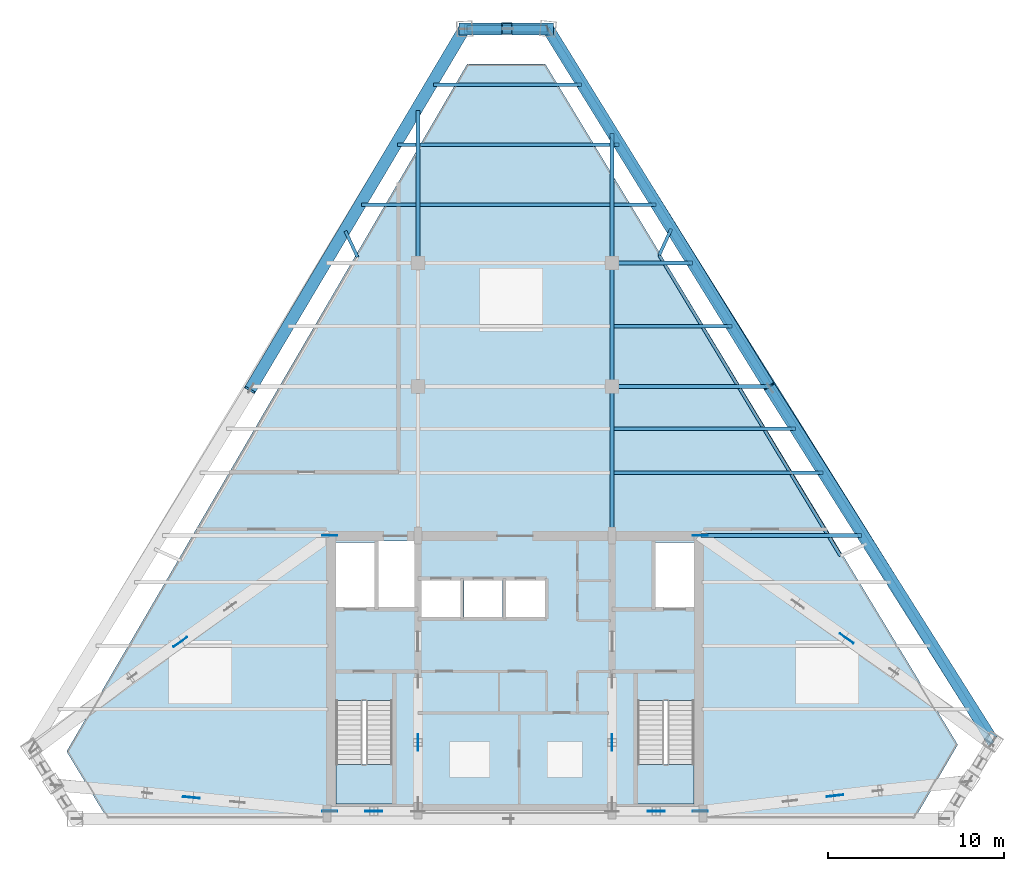
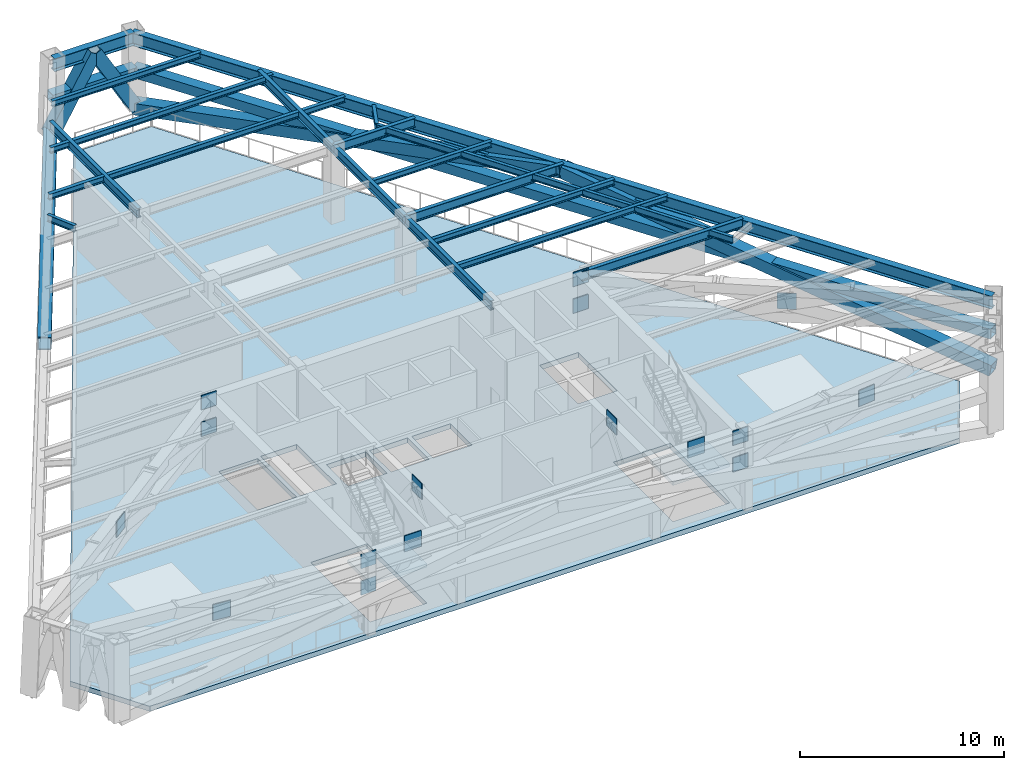
# One storey, part 3 of 9: 21 beams, 16 plates, 7 members, 3 slabs, 2 elements without a shape of their own.
"""IFC4 building model written with IfcOpenShell, lengths in metres."""

from ifc_helpers import new_model, si_unit, direction, frame, origin, origin_2d, place, context, subcontext, project, spatial, polyline, rectangle, hollow_rectangle, i_section, outline, extrude, source, transform, mapped, material, layer, layer_set, material_profile, profile_set, type_object, type_shapes, element, aggregate, save


model = new_model("IFC4")

# Units and contexts
model_context = context("Model", 3, precision=1e-05, world=origin(), true_north=direction((0.0, 1.0)))
body_context = subcontext(model_context, "Body", "Model", "MODEL_VIEW")
ifc_project = project(units=[si_unit("LENGTHUNIT", "METRE"), si_unit("AREAUNIT", "SQUARE_METRE"), si_unit("VOLUMEUNIT", "CUBIC_METRE"), si_unit("PLANEANGLEUNIT", "RADIAN"), si_unit("MASSUNIT", "GRAM", prefix="KILO")], contexts=[model_context])

# Site, building, storey
site_placement = place(None, origin())
site = spatial("IfcSite", under=ifc_project, at=site_placement, CompositionType="ELEMENT")
building_placement = place(site_placement, origin())
building = spatial("IfcBuilding", under=site, at=building_placement, Name="Varnakhor Terracotta Tower", CompositionType="ELEMENT")
storey_placement = place(building_placement, frame((0.0, 0.0, 257.949951171875)))
storey = spatial("IfcBuildingStorey", under=building, at=storey_placement, Name="L67", CompositionType="ELEMENT", Elevation=257.949951171875)

# Beams
ifc_material_1 = material(Name="Steel S355", Category="steel")
ifc_material_profile_1 = material_profile(ifc_material_1, i_section(OverallWidth=0.214111328125, OverallDepth=0.549072265625, WebThickness=0.014892578125, FlangeThickness=0.02392578125, FilletRadius=0.01806640625, at=origin_2d()), Name="W21X93")
ifc_profile_set_1 = profile_set([ifc_material_profile_1], Name="Steel S355")
beam_type_1 = type_object("IfcBeamType", Name="BM-W21X93", PredefinedType="BEAM", material=ifc_profile_set_1)
shared_shape_1 = source(origin(), body_context, "Body", "SweptSolid", [
    extrude(i_section(OverallWidth=0.214111328125, OverallDepth=0.549072265625, WebThickness=0.014892578125, FlangeThickness=0.02392578125, FilletRadius=0.01806640625, at=origin_2d()), origin(), (0.0, 0.0, 1.0), 8.449951171875),
])
type_shapes(beam_type_1, [shared_shape_1])
beam_1_placement = place(storey_placement, frame((5.5, 16.050048828125, 4.215576171875), z_axis=(0.0, 1.0, 0.0), x_axis=(-1.0, 0.0, 0.0)))
element("IfcBeam", 1, at=beam_1_placement, inside=storey, type_object=beam_type_1, Name="L67 Primary Girder NS1-E", PredefinedType="BEAM", context=body_context, shape_type="MappedRepresentation", body=[
    mapped(shared_shape_1, transform((0.0, 0.0, 0.0), scale=1.0)),
])
shared_shape_2 = source(origin(), body_context, "Body", "SweptSolid", [
    extrude(i_section(OverallWidth=0.214111328125, OverallDepth=0.549072265625, WebThickness=0.014892578125, FlangeThickness=0.02392578125, FilletRadius=0.01806640625, at=origin_2d()), origin(), (0.0, 0.0, 1.0), 7.0),
])
beam_2_placement = place(storey_placement, frame((5.5, 24.5, 4.215576171875), z_axis=(0.0, 1.0, 0.0), x_axis=(-1.0, 0.0, 0.0)))
element("IfcBeam", 2, at=beam_2_placement, inside=storey, type_object=beam_type_1, Name="L67 Primary Girder NS2-E", PredefinedType="BEAM", context=body_context, shape_type="MappedRepresentation", body=[
    mapped(shared_shape_2, transform((0.0, 0.0, 0.0), scale=1.0)),
])
ifc_material_profile_2 = material_profile(ifc_material_1, i_section(OverallWidth=0.202880859375, OverallDepth=0.346923828125, WebThickness=0.0078125, FlangeThickness=0.013427734375, FilletRadius=0.01806640625, at=origin_2d()), Name="W14X43")
ifc_profile_set_2 = profile_set([ifc_material_profile_2], Name="Steel S355")
beam_type_2 = type_object("IfcBeamType", Name="JST-W14X43", PredefinedType="JOIST", material=ifc_profile_set_2)
shared_shape_3 = source(origin(), body_context, "Body", "SweptSolid", [
    extrude(i_section(OverallWidth=0.202880859375, OverallDepth=0.346923828125, WebThickness=0.0078125, FlangeThickness=0.013427734375, FilletRadius=0.01806640625, at=origin_2d()), origin(), (0.0, 0.0, 1.0), 10.7939453125),
])
beam_3_placement = place(storey_placement, frame((-5.39697265625, 34.800048828125, 4.316650390625), z_axis=(1.0, 0.0, 0.0), x_axis=(0.0, 1.0, 0.0)))
element("IfcBeam", 3, at=beam_3_placement, inside=storey, type_object=beam_type_2, Name="L67 Composite Floor Joist 7-2", PredefinedType="JOIST", context=body_context, shape_type="MappedRepresentation", body=[
    mapped(shared_shape_3, transform((0.0, 0.0, 0.0), scale=1.0)),
])
ifc_material_profile_3 = material_profile(ifc_material_1, i_section(OverallWidth=0.381103515625, OverallDepth=0.77294921875, WebThickness=0.01708984375, FlangeThickness=0.027099609375, FilletRadius=0.01806640625, at=origin_2d()), Name="W30X173")
ifc_profile_set_3 = profile_set([ifc_material_profile_3], Name="Steel S355")
beam_type_3 = type_object("IfcBeamType", Name="BM-W30X173", PredefinedType="BEAM", material=ifc_profile_set_3)
shared_shape_4 = source(origin(), body_context, "Body", "SweptSolid", [
    extrude(i_section(OverallWidth=0.381103515625, OverallDepth=0.77294921875, WebThickness=0.01708984375, FlangeThickness=0.027099609375, FilletRadius=0.01806640625, at=origin_2d()), origin(), (0.0, 0.0, 1.0), 47.710693359375),
])
beam_4_placement = place(storey_placement, frame((26.983642578125, 4.2421875, 4.103515625), z_axis=(-0.527777797958, 0.849382479206, 0.0), x_axis=(-0.849382479206, -0.527777797958, 0.0)))
element("IfcBeam", 4, at=beam_4_placement, inside=storey, type_object=beam_type_3, Name="L67 Perimeter Spandrel 4", PredefinedType="BEAM", context=body_context, shape_type="MappedRepresentation", body=[
    mapped(shared_shape_4, transform((0.0, 0.0, 0.0), scale=1.0)),
])
shared_shape_5 = source(origin(), body_context, "Body", "SweptSolid", [
    extrude(i_section(OverallWidth=0.381103515625, OverallDepth=0.77294921875, WebThickness=0.01708984375, FlangeThickness=0.027099609375, FilletRadius=0.01806640625, at=origin_2d()), origin(), (0.0, 0.0, 1.0), 4.526123046875),
])
beam_5_placement = place(storey_placement, frame((1.802978515625, 44.766845703125, 4.103515625), z_axis=(-1.0, 0.0, 0.0), x_axis=(0.0, -1.0, 0.0)))
element("IfcBeam", 5, at=beam_5_placement, inside=storey, type_object=beam_type_3, Name="L67 Perimeter Spandrel 5", PredefinedType="BEAM", context=body_context, shape_type="MappedRepresentation", body=[
    mapped(shared_shape_5, transform((0.0, 0.0, 0.0), scale=1.0)),
])
ifc_material_profile_4 = material_profile(ifc_material_1, i_section(OverallWidth=0.179931640625, OverallDepth=0.39990234375, WebThickness=0.008544921875, FlangeThickness=0.013427734375, FilletRadius=0.01806640625, at=origin_2d()), Name="IPE400")
ifc_profile_set_4 = profile_set([ifc_material_profile_4], Name="Steel S355")
beam_type_4 = type_object("IfcBeamType", Name="JST-IPE400", PredefinedType="JOIST", material=ifc_profile_set_4)
shared_shape_6 = source(origin(), body_context, "Body", "SweptSolid", [
    extrude(i_section(OverallWidth=0.179931640625, OverallDepth=0.39990234375, WebThickness=0.008544921875, FlangeThickness=0.013427734375, FilletRadius=0.01806640625, at=origin_2d()), origin(), (0.0, 0.0, 1.0), 19.895751953125),
])
beam_6_placement = place(storey_placement, frame((18.440673828125, 14.8974609375, 4.2900390625), z_axis=(-0.516203649231, 0.856465873529, 0.0), x_axis=(-0.856465873529, -0.516203649231, 0.0)))
element("IfcBeam", 6, at=beam_6_placement, inside=storey, type_object=beam_type_4, Name="L67 Loggia Edge Beam 1", PredefinedType="JOIST", context=body_context, shape_type="MappedRepresentation", body=[
    mapped(shared_shape_6, transform((0.0, 0.0, 0.0), scale=1.0)),
])
shared_shape_7 = source(origin(), body_context, "Body", "SweptSolid", [
    extrude(i_section(OverallWidth=0.214111328125, OverallDepth=0.549072265625, WebThickness=0.014892578125, FlangeThickness=0.02392578125, FilletRadius=0.01806640625, at=origin_2d()), origin(), (0.0, 0.0, 1.0), 8.64501953125),
])
beam_7_placement = place(storey_placement, frame((-5.5, 31.5, 4.215576171875), z_axis=(0.0, 1.0, 0.0), x_axis=(-1.0, 0.0, 0.0)))
element("IfcBeam", 7, at=beam_7_placement, inside=storey, type_object=beam_type_1, Name="L67 Primary Girder NS3-W", PredefinedType="BEAM", context=body_context, shape_type="MappedRepresentation", body=[
    mapped(shared_shape_7, transform((0.0, 0.0, 0.0), scale=1.0)),
])
shared_shape_8 = source(origin(), body_context, "Body", "SweptSolid", [
    extrude(i_section(OverallWidth=0.214111328125, OverallDepth=0.549072265625, WebThickness=0.014892578125, FlangeThickness=0.02392578125, FilletRadius=0.01806640625, at=origin_2d()), origin(), (0.0, 0.0, 1.0), 7.31689453125),
])
beam_8_placement = place(storey_placement, frame((5.5, 31.5, 4.215576171875), z_axis=(0.0, 1.0, 0.0), x_axis=(-1.0, 0.0, 0.0)))
element("IfcBeam", 8, at=beam_8_placement, inside=storey, type_object=beam_type_1, Name="L67 Primary Girder NS3-E", PredefinedType="BEAM", context=body_context, shape_type="MappedRepresentation", body=[
    mapped(shared_shape_8, transform((0.0, 0.0, 0.0), scale=1.0)),
])
shared_shape_9 = source(origin(), body_context, "Body", "SweptSolid", [
    extrude(i_section(OverallWidth=0.214111328125, OverallDepth=0.549072265625, WebThickness=0.014892578125, FlangeThickness=0.02392578125, FilletRadius=0.01806640625, at=origin_2d()), origin(), (0.0, 0.0, 1.0), 9.0966796875),
])
beam_9_placement = place(storey_placement, frame((10.550048828125, 16.050048828125, 4.215576171875), z_axis=(1.0, 0.0, 0.0), x_axis=(0.0, 1.0, 0.0)))
element("IfcBeam", 9, at=beam_9_placement, inside=storey, type_object=beam_type_1, Name="L67 Wing Girder E", PredefinedType="BEAM", context=body_context, shape_type="MappedRepresentation", body=[
    mapped(shared_shape_9, transform((0.0, 0.0, 0.0), scale=1.0)),
])
shared_shape_10 = source(origin(), body_context, "Body", "SweptSolid", [
    extrude(i_section(OverallWidth=0.214111328125, OverallDepth=0.549072265625, WebThickness=0.014892578125, FlangeThickness=0.02392578125, FilletRadius=0.01806640625, at=origin_2d()), origin(), (0.0, 0.0, 1.0), 8.89599609375),
])
beam_10_placement = place(storey_placement, frame((5.5, 24.5, 4.215576171875), z_axis=(1.0, 0.0, 0.0), x_axis=(0.0, 1.0, 0.0)))
element("IfcBeam", 10, at=beam_10_placement, inside=storey, type_object=beam_type_1, Name="L67 Primary Girder EW2-3", PredefinedType="BEAM", context=body_context, shape_type="MappedRepresentation", body=[
    mapped(shared_shape_10, transform((0.0, 0.0, 0.0), scale=1.0)),
])
shared_shape_11 = source(origin(), body_context, "Body", "SweptSolid", [
    extrude(i_section(OverallWidth=0.214111328125, OverallDepth=0.549072265625, WebThickness=0.014892578125, FlangeThickness=0.02392578125, FilletRadius=0.01806640625, at=origin_2d()), origin(), (0.0, 0.0, 1.0), 4.54638671875),
])
beam_11_placement = place(storey_placement, frame((5.5, 31.5, 4.215576171875), z_axis=(1.0, 0.0, 0.0), x_axis=(0.0, 1.0, 0.0)))
element("IfcBeam", 11, at=beam_11_placement, inside=storey, type_object=beam_type_1, Name="L67 Primary Girder EW3-3", PredefinedType="BEAM", context=body_context, shape_type="MappedRepresentation", body=[
    mapped(shared_shape_11, transform((0.0, 0.0, 0.0), scale=1.0)),
])
shared_shape_12 = source(origin(), body_context, "Body", "SweptSolid", [
    extrude(i_section(OverallWidth=0.202880859375, OverallDepth=0.346923828125, WebThickness=0.0078125, FlangeThickness=0.013427734375, FilletRadius=0.01806640625, at=origin_2d()), origin(), (0.0, 0.0, 1.0), 11.837890625),
])
beam_12_placement = place(storey_placement, frame((5.60302734375, 19.60009765625, 4.316650390625), z_axis=(1.0, 0.0, 0.0), x_axis=(0.0, 1.0, 0.0)))
element("IfcBeam", 12, at=beam_12_placement, inside=storey, type_object=beam_type_2, Name="L67 Composite Floor Joist 4-3", PredefinedType="JOIST", context=body_context, shape_type="MappedRepresentation", body=[
    mapped(shared_shape_12, transform((0.0, 0.0, 0.0), scale=1.0)),
])
shared_shape_13 = source(origin(), body_context, "Body", "SweptSolid", [
    extrude(i_section(OverallWidth=0.202880859375, OverallDepth=0.346923828125, WebThickness=0.0078125, FlangeThickness=0.013427734375, FilletRadius=0.01806640625, at=origin_2d()), origin(), (0.0, 0.0, 1.0), 10.284423828125),
])
beam_13_placement = place(storey_placement, frame((5.60302734375, 22.10009765625, 4.316650390625), z_axis=(1.0, 0.0, 0.0), x_axis=(0.0, 1.0, 0.0)))
element("IfcBeam", 13, at=beam_13_placement, inside=storey, type_object=beam_type_2, Name="L67 Composite Floor Joist 5-3", PredefinedType="JOIST", context=body_context, shape_type="MappedRepresentation", body=[
    mapped(shared_shape_13, transform((0.0, 0.0, 0.0), scale=1.0)),
])
shared_shape_14 = source(origin(), body_context, "Body", "SweptSolid", [
    extrude(i_section(OverallWidth=0.202880859375, OverallDepth=0.346923828125, WebThickness=0.0078125, FlangeThickness=0.013427734375, FilletRadius=0.01806640625, at=origin_2d()), origin(), (0.0, 0.0, 1.0), 6.680419921875),
])
beam_14_placement = place(storey_placement, frame((5.60302734375, 27.89990234375, 4.316650390625), z_axis=(1.0, 0.0, 0.0), x_axis=(0.0, 1.0, 0.0)))
element("IfcBeam", 14, at=beam_14_placement, inside=storey, type_object=beam_type_2, Name="L67 Composite Floor Joist 6-3", PredefinedType="JOIST", context=body_context, shape_type="MappedRepresentation", body=[
    mapped(shared_shape_14, transform((0.0, 0.0, 0.0), scale=1.0)),
])
shared_shape_15 = source(origin(), body_context, "Body", "SweptSolid", [
    extrude(i_section(OverallWidth=0.202880859375, OverallDepth=0.346923828125, WebThickness=0.0078125, FlangeThickness=0.013427734375, FilletRadius=0.01806640625, at=origin_2d()), origin(), (0.0, 0.0, 1.0), 3.108154296875),
])
beam_15_placement = place(storey_placement, frame((-8.711181640625, 34.800048828125, 4.316650390625), z_axis=(1.0, 0.0, 0.0), x_axis=(0.0, 1.0, 0.0)))
element("IfcBeam", 15, at=beam_15_placement, inside=storey, type_object=beam_type_2, Name="L67 Composite Floor Joist 7-1", PredefinedType="JOIST", context=body_context, shape_type="MappedRepresentation", body=[
    mapped(shared_shape_15, transform((0.0, 0.0, 0.0), scale=1.0)),
])
shared_shape_16 = source(origin(), body_context, "Body", "SweptSolid", [
    extrude(i_section(OverallWidth=0.202880859375, OverallDepth=0.346923828125, WebThickness=0.0078125, FlangeThickness=0.013427734375, FilletRadius=0.01806640625, at=origin_2d()), origin(), (0.0, 0.0, 1.0), 2.39306640625),
])
beam_16_placement = place(storey_placement, frame((5.60302734375, 34.800048828125, 4.316650390625), z_axis=(1.0, 0.0, 0.0), x_axis=(0.0, 1.0, 0.0)))
element("IfcBeam", 16, at=beam_16_placement, inside=storey, type_object=beam_type_2, Name="L67 Composite Floor Joist 7-3", PredefinedType="JOIST", context=body_context, shape_type="MappedRepresentation", body=[
    mapped(shared_shape_16, transform((0.0, 0.0, 0.0), scale=1.0)),
])
shared_shape_17 = source(origin(), body_context, "Body", "SweptSolid", [
    extrude(i_section(OverallWidth=0.202880859375, OverallDepth=0.346923828125, WebThickness=0.0078125, FlangeThickness=0.013427734375, FilletRadius=0.01806640625, at=origin_2d()), origin(), (0.0, 0.0, 1.0), 1.065673828125),
])
beam_17_placement = place(storey_placement, frame((-6.668701171875, 38.199951171875, 4.316650390625), z_axis=(1.0, 0.0, 0.0), x_axis=(0.0, 1.0, 0.0)))
element("IfcBeam", 17, at=beam_17_placement, inside=storey, type_object=beam_type_2, Name="L67 Composite Floor Joist 8-1", PredefinedType="JOIST", context=body_context, shape_type="MappedRepresentation", body=[
    mapped(shared_shape_17, transform((0.0, 0.0, 0.0), scale=1.0)),
])
shared_shape_18 = source(origin(), body_context, "Body", "SweptSolid", [
    extrude(i_section(OverallWidth=0.202880859375, OverallDepth=0.346923828125, WebThickness=0.0078125, FlangeThickness=0.013427734375, FilletRadius=0.01806640625, at=origin_2d()), origin(), (0.0, 0.0, 1.0), 11.2802734375),
])
beam_18_placement = place(storey_placement, frame((-5.39697265625, 38.199951171875, 4.316650390625), z_axis=(1.0, 0.0, 0.0), x_axis=(0.0, 1.0, 0.0)))
element("IfcBeam", 18, at=beam_18_placement, inside=storey, type_object=beam_type_2, Name="L67 Composite Floor Joist 8-2", PredefinedType="JOIST", context=body_context, shape_type="MappedRepresentation", body=[
    mapped(shared_shape_18, transform((0.0, 0.0, 0.0), scale=1.0)),
])
shared_shape_19 = source(origin(), body_context, "Body", "SweptSolid", [
    extrude(i_section(OverallWidth=0.202880859375, OverallDepth=0.346923828125, WebThickness=0.0078125, FlangeThickness=0.013427734375, FilletRadius=0.01806640625, at=origin_2d()), origin(), (0.0, 0.0, 1.0), 8.396484375),
])
beam_19_placement = place(storey_placement, frame((-4.625732421875, 41.60009765625, 4.316650390625), z_axis=(1.0, 0.0, 0.0), x_axis=(0.0, 1.0, 0.0)))
element("IfcBeam", 19, at=beam_19_placement, inside=storey, type_object=beam_type_2, Name="L67 Composite Floor Joist 9-1", PredefinedType="JOIST", context=body_context, shape_type="MappedRepresentation", body=[
    mapped(shared_shape_19, transform((0.0, 0.0, 0.0), scale=1.0)),
])

# Members
ifc_material_2 = material(Name="Steel S460", Category="steel")
ifc_material_profile_5 = material_profile(ifc_material_2, hollow_rectangle(XDim=0.679931640625, YDim=0.679931640625, WallThickness=0.048095703125, at=origin_2d()), Name="HSS680X680X48")
ifc_profile_set_5 = profile_set([ifc_material_profile_5], Name="Steel S460")
member_type_1 = type_object("IfcMemberType", Name="MBR-OUTRIGGER-680", PredefinedType="BRACE", material=ifc_profile_set_5)
shared_shape_20 = source(origin(), body_context, "Body", "SweptSolid", [
    extrude(hollow_rectangle(XDim=0.679931640625, YDim=0.679931640625, WallThickness=0.048095703125, at=origin_2d()), origin(), (0.0, 0.0, 1.0), 24.1328125),
])
member_1_placement = place(storey_placement, frame((27.083984375, 4.39208984375, 0.0), z_axis=(-0.525866101655, 0.83339776946, 0.170038233905), x_axis=(-0.845713501242, -0.5336372118, 0.0)))
element("IfcMember", 20, at=member_1_placement, inside=storey, type_object=member_type_1, Name="L67 Belt-Truss Diagonal NEA", PredefinedType="BRACE", context=body_context, shape_type="MappedRepresentation", body=[
    mapped(shared_shape_20, transform((0.0, 0.0, 0.0), scale=1.0)),
])
shared_shape_21 = source(origin(), body_context, "Body", "SweptSolid", [
    extrude(hollow_rectangle(XDim=0.679931640625, YDim=0.679931640625, WallThickness=0.048095703125, at=origin_2d()), origin(), (0.0, 0.0, 1.0), 24.159423828125),
])
member_2_placement = place(storey_placement, frame((1.879150390625, 44.7587890625, 0.0), z_axis=(0.51797999204, -0.838359984775, 0.169850710254), x_axis=(0.850721128815, 0.525617314201, 0.0)))
element("IfcMember", 21, at=member_2_placement, inside=storey, type_object=member_type_1, Name="L67 Belt-Truss Diagonal NEB", PredefinedType="BRACE", context=body_context, shape_type="MappedRepresentation", body=[
    mapped(shared_shape_21, transform((0.0, 0.0, 0.0), scale=1.0)),
])
ifc_material_profile_6 = material_profile(ifc_material_2, hollow_rectangle(XDim=0.580078125, YDim=0.580078125, WallThickness=0.0380859375, at=origin_2d()), Name="HSS580X580X38")
ifc_profile_set_6 = profile_set([ifc_material_profile_6], Name="Steel S460")
member_type_2 = type_object("IfcMemberType", Name="MBR-BELT-CHORD-580", PredefinedType="CHORD", material=ifc_profile_set_6)
shared_shape_22 = source(origin(), body_context, "Body", "SweptSolid", [
    extrude(hollow_rectangle(XDim=0.580078125, YDim=0.580078125, WallThickness=0.0380859375, at=origin_2d()), origin(), (0.0, 0.0, 1.0), 47.58935546875),
])
member_3_placement = place(storey_placement, frame((27.083984375, 4.39208984375, 2.150146484375), z_axis=(-0.529630903166, 0.848228215996, 0.0), x_axis=(-0.848228215996, -0.529630903166, 0.0)))
element("IfcMember", 22, at=member_3_placement, inside=storey, type_object=member_type_2, Name="L67 Belt-Truss Bottom Chord NE", PredefinedType="CHORD", context=body_context, shape_type="MappedRepresentation", body=[
    mapped(shared_shape_22, transform((0.0, 0.0, 0.0), scale=1.0)),
])
shared_shape_23 = source(origin(), body_context, "Body", "SweptSolid", [
    extrude(hollow_rectangle(XDim=0.679931640625, YDim=0.679931640625, WallThickness=0.048095703125, at=origin_2d()), origin(), (0.0, 0.0, 1.0), 4.723388671875),
])
member_4_placement = place(storey_placement, frame((1.879150390625, 44.7587890625, 0.0), z_axis=(-0.495258499205, 0.001705649183, 0.868743983994), x_axis=(-0.003443936996, -0.999994069631, 0.0)))
element("IfcMember", 23, at=member_4_placement, inside=storey, type_object=member_type_1, Name="L67 Belt-Truss Diagonal N1A", PredefinedType="BRACE", context=body_context, shape_type="MappedRepresentation", body=[
    mapped(shared_shape_23, transform((0.0, 0.0, 0.0), scale=1.0)),
])
shared_shape_24 = source(origin(), body_context, "Body", "SweptSolid", [
    extrude(hollow_rectangle(XDim=0.679931640625, YDim=0.679931640625, WallThickness=0.048095703125, at=origin_2d()), origin(), (0.0, 0.0, 1.0), 4.760498046875),
])
member_5_placement = place(storey_placement, frame((-2.87353515625, 44.7587890625, 0.0), z_axis=(0.506940956489, 0.001692367381, 0.861979119542), x_axis=(-0.003338372899, 0.999994427618, 0.0)))
element("IfcMember", 24, at=member_5_placement, inside=storey, type_object=member_type_1, Name="L67 Belt-Truss Diagonal N1B", PredefinedType="BRACE", context=body_context, shape_type="MappedRepresentation", body=[
    mapped(shared_shape_24, transform((0.0, 0.0, 0.0), scale=1.0)),
])
shared_shape_25 = source(origin(), body_context, "Body", "SweptSolid", [
    extrude(hollow_rectangle(XDim=0.580078125, YDim=0.580078125, WallThickness=0.0380859375, at=origin_2d()), origin(), (0.0, 0.0, 1.0), 4.752685546875),
])
member_6_placement = place(storey_placement, frame((1.879150390625, 44.7587890625, 2.150146484375), z_axis=(-1.0, 0.0, 0.0), x_axis=(0.0, -1.0, 0.0)))
element("IfcMember", 25, at=member_6_placement, inside=storey, type_object=member_type_2, Name="L67 Belt-Truss Bottom Chord N1", PredefinedType="CHORD", context=body_context, shape_type="MappedRepresentation", body=[
    mapped(shared_shape_25, transform((0.0, 0.0, 0.0), scale=1.0)),
])
shared_shape_26 = source(origin(), body_context, "Body", "SweptSolid", [
    extrude(hollow_rectangle(XDim=0.679931640625, YDim=0.679931640625, WallThickness=0.048095703125, at=origin_2d()), origin(), (0.0, 0.0, 1.0), 24.144287109375),
])
member_7_placement = place(storey_placement, frame((-2.87353515625, 44.7587890625, 0.0), z_axis=(-0.503079297296, -0.84736382685, 0.169958128898), x_axis=(0.859873887271, -0.510506511211, 0.0)))
element("IfcMember", 26, at=member_7_placement, inside=storey, type_object=member_type_1, Name="L67 Belt-Truss Diagonal NWA", PredefinedType="BRACE", context=body_context, shape_type="MappedRepresentation", body=[
    mapped(shared_shape_26, transform((0.0, 0.0, 0.0), scale=1.0)),
])

# Beams
shared_shape_27 = source(origin(), body_context, "Body", "SweptSolid", [
    extrude(i_section(OverallWidth=0.179931640625, OverallDepth=0.39990234375, WebThickness=0.008544921875, FlangeThickness=0.013427734375, FilletRadius=0.01806640625, at=origin_2d()), origin(), (0.0, 0.0, 1.0), 1.630126953125),
])
beam_20_placement = place(storey_placement, frame((-8.9208984375, 31.827880859375, 4.2900390625), z_axis=(-0.42236064134, 0.906427872832, 0.0), x_axis=(-0.906427872832, -0.42236064134, 0.0)))
element("IfcBeam", 27, at=beam_20_placement, inside=storey, type_object=beam_type_4, Name="L68 W Loggia Tie Beam 2", PredefinedType="JOIST", context=body_context, shape_type="MappedRepresentation", body=[
    mapped(shared_shape_27, transform((0.0, 0.0, 0.0), scale=1.0)),
])
shared_shape_28 = source(origin(), body_context, "Body", "SweptSolid", [
    extrude(i_section(OverallWidth=0.179931640625, OverallDepth=0.39990234375, WebThickness=0.008544921875, FlangeThickness=0.013427734375, FilletRadius=0.01806640625, at=origin_2d()), origin(), (0.0, 0.0, 1.0), 1.63232421875),
])
beam_21_placement = place(storey_placement, frame((8.17041015625, 31.9375, 4.2900390625), z_axis=(0.418507960191, 0.908213128763, 0.0), x_axis=(-0.908213128763, 0.418507960191, 0.0)))
element("IfcBeam", 28, at=beam_21_placement, inside=storey, type_object=beam_type_4, Name="L68 E Loggia Tie Beam 1", PredefinedType="JOIST", context=body_context, shape_type="MappedRepresentation", body=[
    mapped(shared_shape_28, transform((0.0, 0.0, 0.0), scale=1.0)),
])

# Stair, slab
ifc_material_3 = material(Name="Concrete C40/50", Category="concrete")
stair_type = type_object("IfcStairType", Name="STR-CORE-HOTEL-1500", PredefinedType="HALF_TURN_STAIR", material=ifc_material_3)
stair_1_placement = place(storey_placement, origin())
stair_1 = element("IfcStair", 29, at=stair_1_placement, inside=storey, type_object=stair_type, Name="L67 Core Exit Stair ST-1", PredefinedType="HALF_TURN_STAIR")
ifc_layer_1 = layer(ifc_material_3, 0.179931640625, Name="Concrete C40/50")
ifc_layer_set_1 = layer_set([ifc_layer_1], Name="Concrete C40/50")
slab_type_1 = type_object("IfcSlabType", Name="SLB-LANDING-180", PredefinedType="LANDING", material=ifc_layer_set_1)
slab_1_placement = place(storey_placement, frame((0.0, 0.0, 2.150146484375)))
slab_1 = element("IfcSlab", 30, at=slab_1_placement, type_object=slab_type_1, Name="ST-1 landing 1", PredefinedType="LANDING", context=body_context, shape_type="SweptSolid", body=[
    extrude(outline(polyline([(-10.14990234375, 3.070068359375), (-10.14990234375, 0.85009765625), (-6.949951171875, 0.85009765625), (-6.949951171875, 3.070068359375), (-10.14990234375, 3.070068359375)])), origin(), (0.0, 0.0, 1.0), 0.199951171875),
])
aggregate(stair_1, [slab_1])

stair_2_placement = place(storey_placement, origin())
stair_2 = element("IfcStair", 31, at=stair_2_placement, inside=storey, type_object=stair_type, Name="L67 Core Exit Stair ST-2", PredefinedType="HALF_TURN_STAIR")
slab_2_placement = place(storey_placement, frame((0.0, 0.0, 2.150146484375)))
slab_2 = element("IfcSlab", 32, at=slab_2_placement, type_object=slab_type_1, Name="ST-2 landing 1", PredefinedType="LANDING", context=body_context, shape_type="SweptSolid", body=[
    extrude(outline(polyline([(6.949951171875, 3.070068359375), (6.949951171875, 0.85009765625), (10.14990234375, 0.85009765625), (10.14990234375, 3.070068359375), (6.949951171875, 3.070068359375)])), origin(), (0.0, 0.0, 1.0), 0.199951171875),
])
aggregate(stair_2, [slab_2])

# Slab
ifc_layer_2 = layer(ifc_material_3, 0.300048828125, Name="Concrete C40/50")
ifc_layer_set_2 = layer_set([ifc_layer_2], Name="Concrete C40/50")
slab_type_2 = type_object("IfcSlabType", Name="SLB-PLANT-300", PredefinedType="FLOOR", material=ifc_layer_set_2)
slab_3_placement = place(storey_placement, frame((0.0, 0.0, -0.300048828125)))
element("IfcSlab", 33, at=slab_3_placement, inside=storey, type_object=slab_type_2, Name="L67 Structural Floor Slab", PredefinedType="FLOOR", context=body_context, shape_type="SweptSolid", body=[
    extrude(outline(polyline([(-25.40380859375, 3.814208984375), (-2.6982421875, 42.7802734375), (1.703857421875, 42.7802734375), (25.08251953125, 4.197998046875), (22.636474609375, 0.0), (-23.092529296875, 0.0), (-25.40380859375, 3.814208984375)]), holes=[polyline([(-6.949951171875, 0.85009765625), (-6.949951171875, 6.695068359375), (-10.14990234375, 6.695068359375), (-10.14990234375, 0.85009765625), (-6.949951171875, 0.85009765625)]), polyline([(10.14990234375, 0.85009765625), (10.14990234375, 6.695068359375), (6.949951171875, 6.695068359375), (6.949951171875, 0.85009765625), (10.14990234375, 0.85009765625)]), polyline([(-3.10009765625, 11.419921875), (-3.10009765625, 13.52001953125), (-5.300048828125, 13.52001953125), (-5.300048828125, 11.419921875), (-3.10009765625, 11.419921875)]), polyline([(-0.719970703125, 11.419921875), (-0.719970703125, 13.52001953125), (-2.8798828125, 13.52001953125), (-2.8798828125, 11.419921875), (-0.719970703125, 11.419921875)]), polyline([(1.699951171875, 11.419921875), (1.699951171875, 13.52001953125), (-0.5, 13.52001953125), (-0.5, 11.419921875), (1.699951171875, 11.419921875)]), polyline([(-7.949951171875, 11.8798828125), (-7.949951171875, 15.64990234375), (-10.14990234375, 15.64990234375), (-10.14990234375, 11.8798828125), (-7.949951171875, 11.8798828125)]), polyline([(10.14990234375, 11.8798828125), (10.14990234375, 15.64990234375), (7.949951171875, 15.64990234375), (7.949951171875, 11.8798828125), (10.14990234375, 11.8798828125)]), polyline([(-5.699951171875, 11.8798828125), (-5.699951171875, 15.75), (-7.72998046875, 15.75), (-7.72998046875, 11.8798828125), (-5.699951171875, 11.8798828125)])]), origin(), (0.0, 0.0, 1.0), 0.300048828125),
])

# Plates
ifc_layer_3 = layer(ifc_material_2, 0.050048828125, Name="Steel S460")
ifc_layer_set_3 = layer_set([ifc_layer_3], Name="Steel S460")
plate_type_1 = type_object("IfcPlateType", Name="PLT-GUSSET-50", PredefinedType="USERDEFINED", material=ifc_layer_set_3)
shared_shape_29 = source(origin(), body_context, "Body", "SweptSolid", [
    extrude(rectangle(XDim=0.949951171875, YDim=0.044921875, at=origin_2d()), origin(), (0.0, 0.0, 1.0), 0.949951171875),
])
for number, where, z_axis, x_axis, name in (
    (34, (-8.0, 0.419921875, 3.865234375), (0.0, 0.0, 1.0), (1.0, 0.0, 0.0), "L67 Core Brace Apex Gusset CSW"),
    (35, (8.0, 0.419921875, 3.865234375), (0.0, 0.0, 1.0), (1.0, 0.0, 0.0), "L67 Core Brace Apex Gusset CSE"),
    (36, (-5.5, 4.324951171875, 3.865234375), (0.0, 0.0, 1.0), (0.0, 1.0, 0.0), "L67 Core Brace Apex Gusset CWW"),
    (37, (5.5, 4.324951171875, 3.865234375), (0.0, 0.0, 1.0), (0.0, 1.0, 0.0), "L67 Core Brace Apex Gusset CWE"),
):
    element("IfcPlate", number, at=place(storey_placement, frame(where, z_axis=z_axis, x_axis=x_axis)), inside=storey, type_object=plate_type_1, Name=name, ObjectType="GUSSET PLATE", PredefinedType="USERDEFINED", context=body_context, shape_type="MappedRepresentation", body=[
        mapped(shared_shape_29, transform((0.0, 0.0, 0.0), scale=1.0)),
    ])
shared_shape_30 = source(origin(), body_context, "Body", "SweptSolid", [
    extrude(rectangle(XDim=0.85009765625, YDim=0.044921875, at=origin_2d()), origin(), (0.0, 0.0, 1.0), 0.85009765625),
])
for number, where, z_axis, x_axis, name in (
    (38, (-10.5, 0.419921875, 2.125), (0.0, 0.0, 1.0), (1.0, 0.0, 0.0), "L67 Outrigger Core Embed Plate OW1-BOT"),
    (39, (-10.5, 0.419921875, 3.715087890625), (0.0, 0.0, 1.0), (1.0, 0.0, 0.0), "L67 Outrigger Core Embed Plate OW1-TOP"),
    (40, (-10.5, 16.050048828125, 2.125), (0.0, 0.0, 1.0), (1.0, 0.0, 0.0), "L67 Outrigger Core Embed Plate OW2-BOT"),
    (41, (-10.5, 16.050048828125, 3.715087890625), (0.0, 0.0, 1.0), (1.0, 0.0, 0.0), "L67 Outrigger Core Embed Plate OW2-TOP"),
    (42, (10.5, 0.419921875, 2.125), (0.0, 0.0, 1.0), (1.0, 0.0, 0.0), "L67 Outrigger Core Embed Plate OE1-BOT"),
    (43, (10.5, 0.419921875, 3.715087890625), (0.0, 0.0, 1.0), (1.0, 0.0, 0.0), "L67 Outrigger Core Embed Plate OE1-TOP"),
    (44, (10.5, 16.050048828125, 2.125), (0.0, 0.0, 1.0), (1.0, 0.0, 0.0), "L67 Outrigger Core Embed Plate OE2-BOT"),
    (45, (10.5, 16.050048828125, 3.715087890625), (0.0, 0.0, 1.0), (1.0, 0.0, 0.0), "L67 Outrigger Core Embed Plate OE2-TOP"),
):
    element("IfcPlate", number, at=place(storey_placement, frame(where, z_axis=z_axis, x_axis=x_axis)), inside=storey, type_object=plate_type_1, Name=name, ObjectType="GUSSET PLATE", PredefinedType="USERDEFINED", context=body_context, shape_type="MappedRepresentation", body=[
        mapped(shared_shape_30, transform((0.0, 0.0, 0.0), scale=1.0)),
    ])
ifc_layer_4 = layer(ifc_material_2, 0.044921875, Name="Steel S460")
ifc_layer_set_4 = layer_set([ifc_layer_4], Name="Steel S460")
plate_type_2 = type_object("IfcPlateType", Name="PLT-GUSSET-45", PredefinedType="USERDEFINED", material=ifc_layer_set_4)
shared_shape_31 = source(origin(), body_context, "Body", "SweptSolid", [
    extrude(rectangle(XDim=0.949951171875, YDim=0.044921875, at=origin_2d()), origin(), (0.0, 0.0, 1.0), 0.949951171875),
])
type_shapes(plate_type_2, [shared_shape_31])
for number, where, z_axis, x_axis, name in (
    (46, (-18.338623046875, 1.207763671875, 2.8701171875), (0.0, 0.0, 1.0), (-0.994989479767, 0.099979673697, 0.0), "L67 Outrigger X-Crossing Gusset Plate OW1"),
    (47, (-18.961669921875, 10.020263671875, 2.8701171875), (0.0, 0.0, 1.0), (-0.814389077773, -0.580319248348, 0.0), "L67 Outrigger X-Crossing Gusset Plate OW2"),
    (48, (18.130859375, 1.30810546875, 2.8701171875), (0.0, 0.0, 1.0), (0.993296317925, 0.115595954933, 0.0), "L67 Outrigger X-Crossing Gusset Plate OE1"),
    (49, (18.7919921875, 10.220947265625, 2.8701171875), (0.0, 0.0, 1.0), (0.81808949853, -0.575090925328, 0.0), "L67 Outrigger X-Crossing Gusset Plate OE2"),
):
    element("IfcPlate", number, at=place(storey_placement, frame(where, z_axis=z_axis, x_axis=x_axis)), inside=storey, type_object=plate_type_2, Name=name, ObjectType="GUSSET PLATE", PredefinedType="USERDEFINED", context=body_context, shape_type="MappedRepresentation", body=[
        mapped(shared_shape_31, transform((0.0, 0.0, 0.0), scale=1.0)),
    ])

save(model, "model.ifc")
